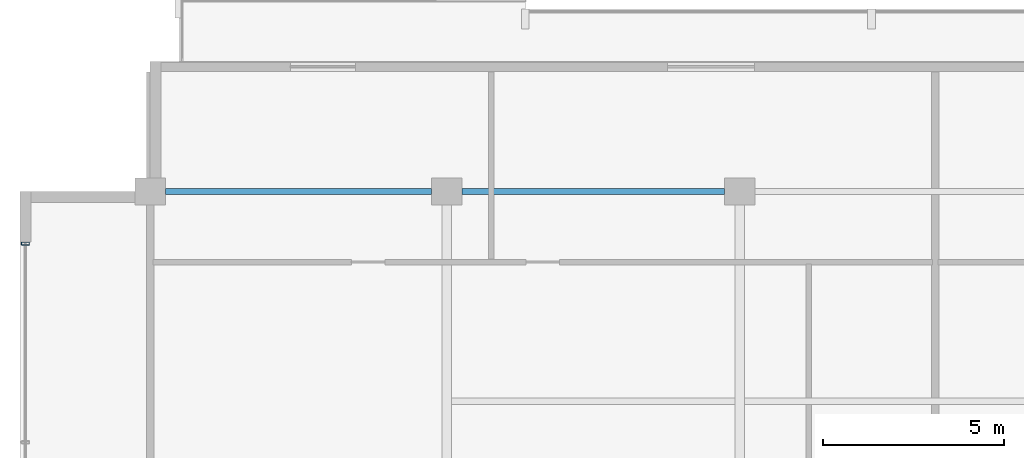
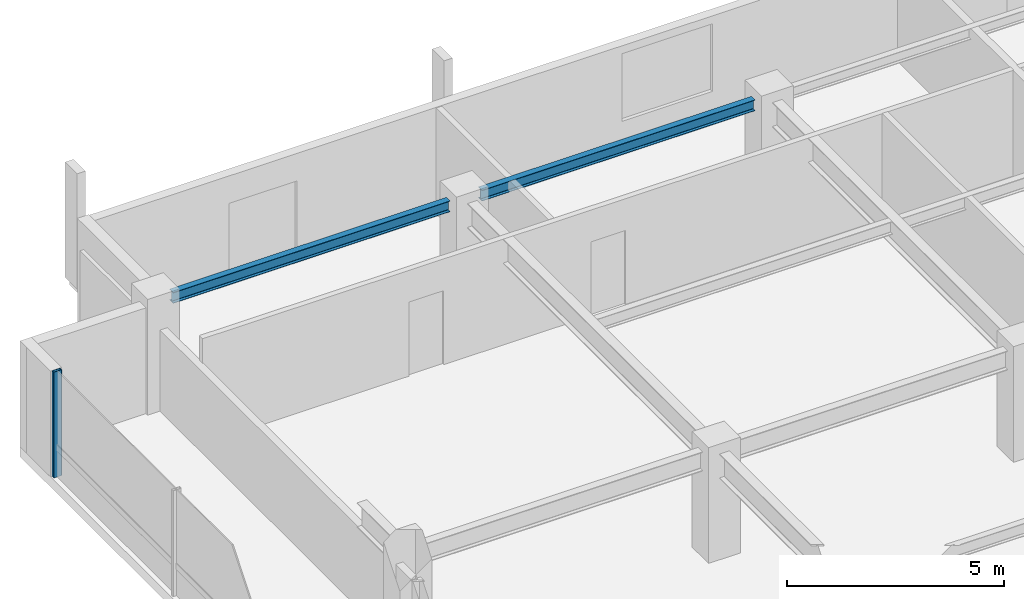
# One storey, part 10 of 32: 2 beams, 1 member, 1 element without a shape of its own.
"""IFC4 building model written with IfcOpenShell, lengths in metres."""

from ifc_helpers import new_model, si_unit, direction, frame, origin, origin_2d, place, context, subcontext, project, spatial, hollow_rectangle, i_section, extrude, material, layer, layer_set, material_profile, profile_set, type_object, element, aggregate, save


model = new_model("IFC4")

# Units and contexts
model_context = context("Model", 3, precision=1e-05, world=origin(), true_north=direction((0.0, 1.0)))
body_context = subcontext(model_context, "Body", "Model", "MODEL_VIEW")
ifc_project = project(units=[si_unit("LENGTHUNIT", "METRE"), si_unit("AREAUNIT", "SQUARE_METRE"), si_unit("VOLUMEUNIT", "CUBIC_METRE"), si_unit("PLANEANGLEUNIT", "RADIAN"), si_unit("MASSUNIT", "GRAM", prefix="KILO")], contexts=[model_context])

# Site, building, storey
site_placement = place(None, origin())
site = spatial("IfcSite", under=ifc_project, at=site_placement, CompositionType="ELEMENT")
building_placement = place(site_placement, origin())
building = spatial("IfcBuilding", under=site, at=building_placement, Name="Korimba Cascade Residences", CompositionType="ELEMENT")
storey_placement = place(building_placement, frame((0.0, 0.0, 178.35009765625)))
storey = spatial("IfcBuildingStorey", under=building, at=storey_placement, Name="L51", CompositionType="ELEMENT", Elevation=178.35009765625)

# Beams
ifc_material_1 = material(Name="Steel S355", Category="steel")
ifc_material_profile_1 = material_profile(ifc_material_1, i_section(OverallWidth=0.165771484375, OverallDepth=0.306640625, WebThickness=0.006591796875, FlangeThickness=0.01171875, FilletRadius=0.0087890625, at=origin_2d()), Name="Steel S355")
ifc_profile_set_1 = profile_set([ifc_material_profile_1], Name="Steel S355")
beam_type = type_object("IfcBeamType", Name="BM-STL-UB305", PredefinedType="SPANDREL", material=ifc_profile_set_1)
beam_1_placement = place(storey_placement, frame((60.22509765625, 91.199951171875, 2.816650390625), z_axis=(1.0, 0.0, 0.0), x_axis=(0.0, 1.0, 0.0)))
element("IfcBeam", 1, at=beam_1_placement, inside=storey, type_object=beam_type, Name="L51 T1 E-W Girder Y4 Bay 1", PredefinedType="SPANDREL", context=body_context, shape_type="SweptSolid", body=[
    extrude(i_section(OverallWidth=0.165771484375, OverallDepth=0.306640625, WebThickness=0.006591796875, FlangeThickness=0.01171875, FilletRadius=0.0087890625, at=origin_2d()), origin(), (0.0, 0.0, 1.0), 7.349853515625),
])
beam_2_placement = place(storey_placement, frame((68.425048828125, 91.199951171875, 2.816650390625), z_axis=(1.0, 0.0, 0.0), x_axis=(0.0, 1.0, 0.0)))
element("IfcBeam", 2, at=beam_2_placement, inside=storey, type_object=beam_type, Name="L51 T1 E-W Girder Y4 Bay 2", PredefinedType="SPANDREL", context=body_context, shape_type="SweptSolid", body=[
    extrude(i_section(OverallWidth=0.165771484375, OverallDepth=0.306640625, WebThickness=0.006591796875, FlangeThickness=0.01171875, FilletRadius=0.0087890625, at=origin_2d()), origin(), (0.0, 0.0, 1.0), 7.25),
])

# Curtain wall, member
ifc_material_2 = material(Name="Anodised Aluminium Curtain Wall Framing", Category="aluminium")
ifc_layer = layer(ifc_material_2, 0.179931640625)
ifc_layer_set = layer_set([ifc_layer], Name="Anodised Aluminium Curtain Wall Framing")
curtain_wall_type = type_object("IfcCurtainWallType", Name="CW-SKY-SYS2", PredefinedType="NOTDEFINED", material=ifc_layer_set)
curtain_wall_placement = place(storey_placement, origin())
curtain_wall = element("IfcCurtainWall", 3, at=curtain_wall_placement, inside=storey, type_object=curtain_wall_type, Name="L51 Curtain Wall CW-L51-T1-E9", PredefinedType="NOTDEFINED")
ifc_material_3 = material(Name="Anodised Aluminium Mullion", Category="aluminium")
ifc_material_profile_2 = material_profile(ifc_material_3, hollow_rectangle(XDim=0.080078125, YDim=0.219970703125, WallThickness=0.00634765625, InnerFilletRadius=0.00634765625, OuterFilletRadius=0.0126953125, at=origin_2d()), Name="Anodised Aluminium Mullion")
ifc_profile_set_2 = profile_set([ifc_material_profile_2], Name="Anodised Aluminium Mullion")
member_type = type_object("IfcMemberType", Name="CWM-MUL-220", PredefinedType="MULLION", material=ifc_profile_set_2)
member_placement = place(storey_placement, frame((56.35009765625, 89.760009765625, 0.0), z_axis=(0.0, 0.0, 1.0), x_axis=(0.0, -1.0, 0.0)))
member = element("IfcMember", 4, at=member_placement, type_object=member_type, Name="CW-L51-T1-E9 Mullion 1", PredefinedType="MULLION", context=body_context, shape_type="SweptSolid", body=[
    extrude(hollow_rectangle(XDim=0.080078125, YDim=0.219970703125, WallThickness=0.00634765625, InnerFilletRadius=0.00634765625, OuterFilletRadius=0.0126953125, at=origin_2d()), origin(), (0.0, 0.0, 1.0), 2.969970703125),
])
aggregate(curtain_wall, [member])

save(model, "model.ifc")
